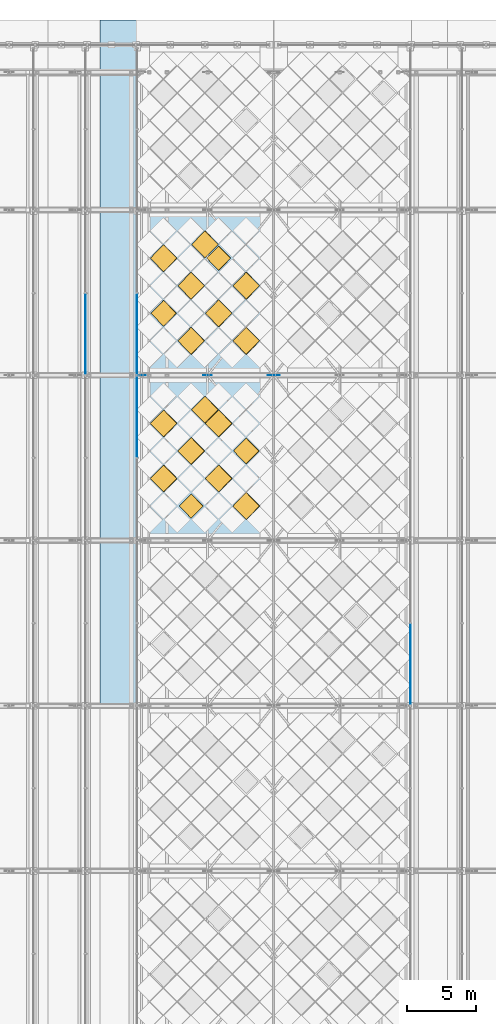
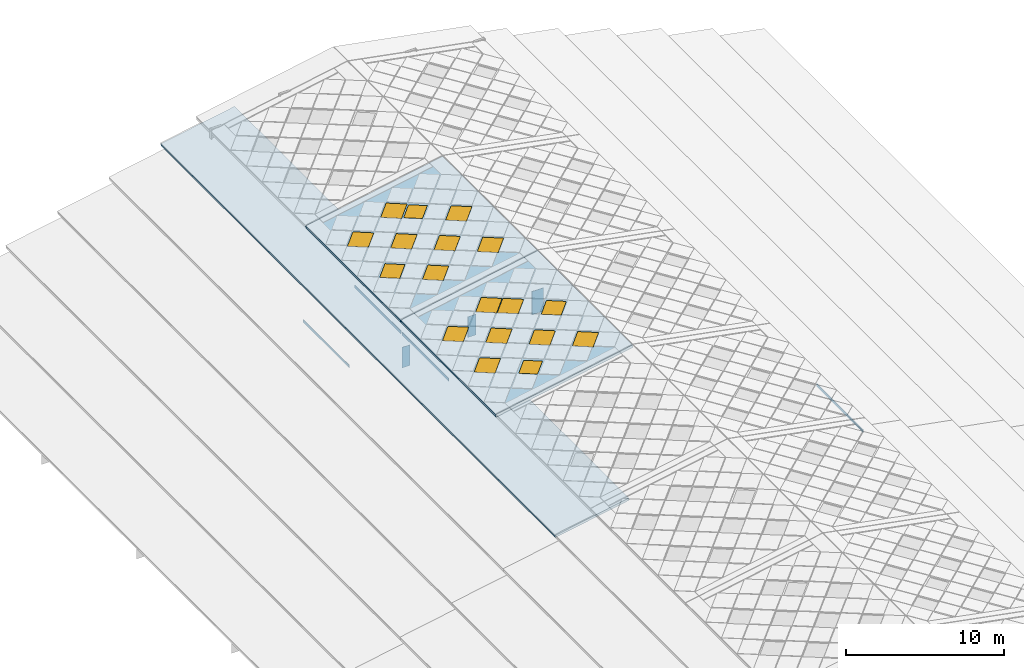
# One storey, part 94 of 117: 18 windows, 7 plates, 3 slabs, 18 openings, 4 elements without a shape of their own.
"""IFC4 building model written with IfcOpenShell, lengths in metres."""

from ifc_helpers import new_model, si_unit, direction, frame, origin, origin_2d, place, context, subcontext, project, spatial, polyline, rectangle, outline, extrude, material, layer, layer_set, type_object, element, fill, aggregate, save


model = new_model("IFC4")

# Units and contexts
model_context = context("Model", 3, precision=1e-05, world=origin(), true_north=direction((0.0, 1.0)))
body_context = subcontext(model_context, "Body", "Model", "MODEL_VIEW")
ifc_project = project(units=[si_unit("LENGTHUNIT", "METRE"), si_unit("AREAUNIT", "SQUARE_METRE"), si_unit("VOLUMEUNIT", "CUBIC_METRE"), si_unit("PLANEANGLEUNIT", "RADIAN"), si_unit("MASSUNIT", "GRAM", prefix="KILO")], contexts=[model_context])

# Site, building, storey
site_placement = place(None, origin())
site = spatial("IfcSite", under=ifc_project, at=site_placement, CompositionType="ELEMENT")
building_placement = place(site_placement, origin())
building = spatial("IfcBuilding", under=site, at=building_placement, Name="Merenkruunu Market Hall", CompositionType="ELEMENT")
storey_placement = place(building_placement, frame((0.0, 0.0, 22.800048828125)))
storey = spatial("IfcBuildingStorey", under=building, at=storey_placement, Name="RF", CompositionType="ELEMENT", Elevation=22.800048828125)

# Curtain wall, plate
ifc_material_1 = material(Name="Powder-coated aluminium", Category="aluminium")
curtain_wall_type = type_object("IfcCurtainWallType", Name="Clerestory Curtain Band CL05", PredefinedType="USERDEFINED", material=ifc_material_1)
curtain_wall_1_placement = place(storey_placement, origin())
curtain_wall_1 = element("IfcCurtainWall", 1, at=curtain_wall_1_placement, inside=storey, type_object=curtain_wall_type, Name="CW-RF-CWM04-111", ObjectType="CLERESTORY_BAND", PredefinedType="USERDEFINED")
ifc_material_2 = material(Name="Triple low-E insulated glass", Category="glass")
ifc_layer_1 = layer(ifc_material_2, 0.035888671875)
ifc_layer_set_1 = layer_set([ifc_layer_1], Name="Triple low-E insulated glass")
plate_type_1 = type_object("IfcPlateType", Name="Curtain Wall Glazing Panel CWP08", PredefinedType="CURTAIN_PANEL", material=ifc_layer_set_1)
plate_1_placement = place(storey_placement, frame((15.1201171875, 90.592529296875, -2.501953125), z_axis=(0.0, 0.0, 1.0), x_axis=(0.0, 1.0, 0.0)))
plate_1 = element("IfcPlate", 2, at=plate_1_placement, type_object=plate_type_1, Name="CL05 panel 1.1", PredefinedType="CURTAIN_PANEL", context=body_context, shape_type="SweptSolid", body=[
    extrude(rectangle(XDim=5.844970703125, YDim=0.035888671875, at=origin_2d()), origin(), (0.0, 0.0, 1.0), 0.20703125),
])
aggregate(curtain_wall_1, [plate_1])

curtain_wall_2_placement = place(storey_placement, origin())
curtain_wall_2 = element("IfcCurtainWall", 3, at=curtain_wall_2_placement, inside=storey, type_object=curtain_wall_type, Name="CW-RF-CWM04-117", ObjectType="CLERESTORY_BAND", PredefinedType="USERDEFINED")
plate_2_placement = place(storey_placement, frame((18.8798828125, 84.58251953125, -1.18212890625), z_axis=(0.0, 0.0, 1.0), x_axis=(0.0, 1.0, 0.0)))
plate_2 = element("IfcPlate", 4, at=plate_2_placement, type_object=plate_type_1, Name="CL05 panel 4.1", PredefinedType="CURTAIN_PANEL", context=body_context, shape_type="SweptSolid", body=[
    extrude(rectangle(XDim=5.89501953125, YDim=0.035888671875, at=origin_2d()), origin(), (0.0, 0.0, 1.0), 0.22802734375),
])
aggregate(curtain_wall_2, [plate_2])

curtain_wall_3_placement = place(storey_placement, origin())
curtain_wall_3 = element("IfcCurtainWall", 5, at=curtain_wall_3_placement, inside=storey, type_object=curtain_wall_type, Name="CW-RF-CWM04-118", ObjectType="CLERESTORY_BAND", PredefinedType="USERDEFINED")
plate_3_placement = place(storey_placement, frame((38.719970703125, 66.617431640625, -1.18212890625), z_axis=(0.0, 0.0, 1.0), x_axis=(0.0, -1.0, 0.0)))
plate_3 = element("IfcPlate", 6, at=plate_3_placement, type_object=plate_type_1, Name="CL05 panel 4.1", PredefinedType="CURTAIN_PANEL", context=body_context, shape_type="SweptSolid", body=[
    extrude(rectangle(XDim=5.89501953125, YDim=0.035888671875, at=origin_2d()), origin(), (0.0, 0.0, 1.0), 0.22802734375),
])
aggregate(curtain_wall_3, [plate_3])

curtain_wall_4_placement = place(storey_placement, origin())
curtain_wall_4 = element("IfcCurtainWall", 7, at=curtain_wall_4_placement, inside=storey, type_object=curtain_wall_type, Name="CW-RF-CWM04-119", ObjectType="CLERESTORY_BAND", PredefinedType="USERDEFINED")
plate_4_placement = place(storey_placement, frame((18.8798828125, 90.592529296875, -1.18212890625), z_axis=(0.0, 0.0, 1.0), x_axis=(0.0, 1.0, 0.0)))
plate_4 = element("IfcPlate", 8, at=plate_4_placement, type_object=plate_type_1, Name="CL05 panel 1.1", PredefinedType="CURTAIN_PANEL", context=body_context, shape_type="SweptSolid", body=[
    extrude(rectangle(XDim=5.844970703125, YDim=0.035888671875, at=origin_2d()), origin(), (0.0, 0.0, 1.0), 0.22802734375),
])
aggregate(curtain_wall_4, [plate_4])

# Slab, openings, windows
ifc_material_3 = material(Name="High-albedo white roof Steel S355ML", Category="steel")
ifc_layer_2 = layer(ifc_material_3, 0.199951171875)
ifc_layer_set_2 = layer_set([ifc_layer_2], Name="High-albedo white roof Steel S355ML")
slab_type_1 = type_object("IfcSlabType", Name="Sloped Or Flat Roof Deck RS01", PredefinedType="ROOF", material=ifc_layer_set_2)
slab_1_placement = place(storey_placement, frame((18.800048828125, 75.60009765625, -0.080078125), z_axis=(-0.184775267092, 0.0, 0.98278079991), x_axis=(0.98278079991, 0.0, 0.184775267092)))
slab_1 = element("IfcSlab", 9, at=slab_1_placement, inside=storey, type_object=slab_type_1, Name="SL-ROOF-V1-CROWN-W-06", PredefinedType="ROOF", context=body_context, shape_type="SweptSolid", body=[
    extrude(outline(polyline([(0.0, 0.0), (10.175208959027184, 0.0), (10.175208959027184, 12.0), (0.0, 12.0), (0.0, 0.0)])), origin(), (0.0, 0.0, -1.0), 0.199951171875),
])
opening_1_placement = place(slab_1_placement, frame((8.14013671875, 2.5, 0.0), z_axis=(0.0, 0.0, 1.0), x_axis=(0.707106781187, 0.707106781187, 0.0)))
opening_1 = element("IfcOpeningElement", 10, at=opening_1_placement, cuts=slab_1, Name="Opening SK01", PredefinedType="OPENING", context=body_context, shape_type="SweptSolid", body=[
    extrude(rectangle(XDim=1.3798828125, YDim=1.3798828125, at=origin_2d()), frame((0.0, 0.0, 0.014892578125), z_axis=(0.0, 0.0, -1.0), x_axis=(1.0, 0.0, 0.0)), (0.0, 0.0, 1.0), 0.229736328125),
])
opening_2_placement = place(slab_1_placement, frame((8.14013671875, 6.5, 0.0), z_axis=(0.0, 0.0, 1.0), x_axis=(0.707106781187, 0.707106781187, 0.0)))
opening_2 = element("IfcOpeningElement", 11, at=opening_2_placement, cuts=slab_1, Name="Opening SK02", PredefinedType="OPENING", context=body_context, shape_type="SweptSolid", body=[
    extrude(rectangle(XDim=1.320068359375, YDim=1.320068359375, at=origin_2d()), frame((0.0, 0.0, 0.014892578125), z_axis=(0.0, 0.0, -1.0), x_axis=(1.0, 0.0, 0.0)), (0.0, 0.0, 1.0), 0.229736328125),
])
opening_3_placement = place(slab_1_placement, frame((6.10498046875, 4.5, -0.000244140625), z_axis=(0.0, 0.0, 1.0), x_axis=(0.707106781187, 0.707106781187, 0.0)))
opening_3 = element("IfcOpeningElement", 12, at=opening_3_placement, cuts=slab_1, Name="Opening SK01", PredefinedType="OPENING", context=body_context, shape_type="SweptSolid", body=[
    extrude(rectangle(XDim=1.3798828125, YDim=1.3798828125, at=origin_2d()), frame((0.0, 0.0, 0.014892578125), z_axis=(0.0, 0.0, -1.0), x_axis=(1.0, 0.0, 0.0)), (0.0, 0.0, 1.0), 0.229736328125),
])
opening_4_placement = place(slab_1_placement, frame((6.10498046875, 8.5, -0.000244140625), z_axis=(0.0, 0.0, 1.0), x_axis=(0.707106781187, 0.707106781187, 0.0)))
opening_4 = element("IfcOpeningElement", 13, at=opening_4_placement, cuts=slab_1, Name="Opening SK01", PredefinedType="OPENING", context=body_context, shape_type="SweptSolid", body=[
    extrude(rectangle(XDim=1.3798828125, YDim=1.3798828125, at=origin_2d()), frame((0.0, 0.0, 0.014892578125), z_axis=(0.0, 0.0, -1.0), x_axis=(1.0, 0.0, 0.0)), (0.0, 0.0, 1.0), 0.229736328125),
])
opening_5_placement = place(slab_1_placement, frame((5.087646484375, 9.5, 0.0), z_axis=(0.0, 0.0, 1.0), x_axis=(0.707106781187, 0.707106781187, 0.0)))
opening_5 = element("IfcOpeningElement", 14, at=opening_5_placement, cuts=slab_1, Name="Opening SK01", PredefinedType="OPENING", context=body_context, shape_type="SweptSolid", body=[
    extrude(rectangle(XDim=1.3798828125, YDim=1.3798828125, at=origin_2d()), frame((0.0, 0.0, 0.014892578125), z_axis=(0.0, 0.0, -1.0), x_axis=(1.0, 0.0, 0.0)), (0.0, 0.0, 1.0), 0.229736328125),
])
opening_6_placement = place(slab_1_placement, frame((4.070068359375, 2.5, 0.0), z_axis=(0.0, 0.0, 1.0), x_axis=(0.707106781187, 0.707106781187, 0.0)))
opening_6 = element("IfcOpeningElement", 15, at=opening_6_placement, cuts=slab_1, Name="Opening SK03", PredefinedType="OPENING", context=body_context, shape_type="SweptSolid", body=[
    extrude(rectangle(XDim=1.239990234375, YDim=1.239990234375, at=origin_2d()), frame((0.0, 0.0, 0.014892578125), z_axis=(0.0, 0.0, -1.0), x_axis=(1.0, 0.0, 0.0)), (0.0, 0.0, 1.0), 0.229736328125),
])
opening_7_placement = place(slab_1_placement, frame((4.070068359375, 6.5, 0.0), z_axis=(0.0, 0.0, 1.0), x_axis=(0.707106781187, 0.707106781187, 0.0)))
opening_7 = element("IfcOpeningElement", 16, at=opening_7_placement, cuts=slab_1, Name="Opening SK01", PredefinedType="OPENING", context=body_context, shape_type="SweptSolid", body=[
    extrude(rectangle(XDim=1.3798828125, YDim=1.3798828125, at=origin_2d()), frame((0.0, 0.0, 0.014892578125), z_axis=(0.0, 0.0, -1.0), x_axis=(1.0, 0.0, 0.0)), (0.0, 0.0, 1.0), 0.229736328125),
])
opening_8_placement = place(slab_1_placement, frame((2.034912109375, 4.5, 0.0), z_axis=(0.0, 0.0, 1.0), x_axis=(0.707106781187, 0.707106781187, 0.0)))
opening_8 = element("IfcOpeningElement", 17, at=opening_8_placement, cuts=slab_1, Name="Opening SK01", PredefinedType="OPENING", context=body_context, shape_type="SweptSolid", body=[
    extrude(rectangle(XDim=1.3798828125, YDim=1.3798828125, at=origin_2d()), frame((0.0, 0.0, 0.014892578125), z_axis=(0.0, 0.0, -1.0), x_axis=(1.0, 0.0, 0.0)), (0.0, 0.0, 1.0), 0.229736328125),
])
opening_9_placement = place(slab_1_placement, frame((2.034912109375, 8.5, 0.0), z_axis=(0.0, 0.0, 1.0), x_axis=(0.707106781187, 0.707106781187, 0.0)))
opening_9 = element("IfcOpeningElement", 18, at=opening_9_placement, cuts=slab_1, Name="Opening SK01", PredefinedType="OPENING", context=body_context, shape_type="SweptSolid", body=[
    extrude(rectangle(XDim=1.3798828125, YDim=1.3798828125, at=origin_2d()), frame((0.0, 0.0, 0.014892578125), z_axis=(0.0, 0.0, -1.0), x_axis=(1.0, 0.0, 0.0)), (0.0, 0.0, 1.0), 0.229736328125),
])
ifc_material_4 = material(Name="Diamond skylight blue triple glass", Category="glass")
ifc_layer_3 = layer(ifc_material_4, 0.094970703125)
ifc_layer_set_3 = layer_set([ifc_layer_3], Name="Diamond skylight blue triple glass")
window_type_1 = type_object("IfcWindowType", Name="Diamond Roof Skylight SK01", PartitioningType="SINGLE_PANEL", PredefinedType="SKYLIGHT", material=ifc_layer_set_3)
window_1_placement = place(opening_1_placement, origin())
window_1 = element("IfcWindow", 19, at=window_1_placement, inside=storey, type_object=window_type_1, Name="SKY-CROWN-091", OverallHeight=1.3798828125, OverallWidth=1.3798828125, PartitioningType="SINGLE_PANEL", PredefinedType="SKYLIGHT", context=body_context, shape_type="SweptSolid", body=[
    extrude(rectangle(XDim=1.3798828125, YDim=1.3798828125, at=origin_2d()), frame((0.0, 0.0, 0.0), z_axis=(0.0, 0.0, -1.0), x_axis=(1.0, 0.0, 0.0)), (0.0, 0.0, 1.0), 0.094970703125),
])
fill(opening_1, window_1)
window_2_placement = place(opening_3_placement, origin())
window_2 = element("IfcWindow", 20, at=window_2_placement, inside=storey, type_object=window_type_1, Name="SKY-CROWN-093", OverallHeight=1.3798828125, OverallWidth=1.3798828125, PartitioningType="SINGLE_PANEL", PredefinedType="SKYLIGHT", context=body_context, shape_type="SweptSolid", body=[
    extrude(rectangle(XDim=1.3798828125, YDim=1.3798828125, at=origin_2d()), frame((0.0, 0.0, 0.0), z_axis=(0.0, 0.0, -1.0), x_axis=(1.0, 0.0, 0.0)), (0.0, 0.0, 1.0), 0.094970703125),
])
fill(opening_3, window_2)
window_3_placement = place(opening_4_placement, origin())
window_3 = element("IfcWindow", 21, at=window_3_placement, inside=storey, type_object=window_type_1, Name="SKY-CROWN-094", OverallHeight=1.3798828125, OverallWidth=1.3798828125, PartitioningType="SINGLE_PANEL", PredefinedType="SKYLIGHT", context=body_context, shape_type="SweptSolid", body=[
    extrude(rectangle(XDim=1.3798828125, YDim=1.3798828125, at=origin_2d()), frame((0.0, 0.0, 0.0), z_axis=(0.0, 0.0, -1.0), x_axis=(1.0, 0.0, 0.0)), (0.0, 0.0, 1.0), 0.094970703125),
])
fill(opening_4, window_3)
window_4_placement = place(opening_5_placement, origin())
window_4 = element("IfcWindow", 22, at=window_4_placement, inside=storey, type_object=window_type_1, Name="SKY-CROWN-095", OverallHeight=1.3798828125, OverallWidth=1.3798828125, PartitioningType="SINGLE_PANEL", PredefinedType="SKYLIGHT", context=body_context, shape_type="SweptSolid", body=[
    extrude(rectangle(XDim=1.3798828125, YDim=1.3798828125, at=origin_2d()), frame((0.0, 0.0, 0.0), z_axis=(0.0, 0.0, -1.0), x_axis=(1.0, 0.0, 0.0)), (0.0, 0.0, 1.0), 0.094970703125),
])
fill(opening_5, window_4)
window_5_placement = place(opening_7_placement, origin())
window_5 = element("IfcWindow", 23, at=window_5_placement, inside=storey, type_object=window_type_1, Name="SKY-CROWN-097", OverallHeight=1.3798828125, OverallWidth=1.3798828125, PartitioningType="SINGLE_PANEL", PredefinedType="SKYLIGHT", context=body_context, shape_type="SweptSolid", body=[
    extrude(rectangle(XDim=1.3798828125, YDim=1.3798828125, at=origin_2d()), frame((0.0, 0.0, 0.0), z_axis=(0.0, 0.0, -1.0), x_axis=(1.0, 0.0, 0.0)), (0.0, 0.0, 1.0), 0.094970703125),
])
fill(opening_7, window_5)
window_6_placement = place(opening_8_placement, origin())
window_6 = element("IfcWindow", 24, at=window_6_placement, inside=storey, type_object=window_type_1, Name="SKY-CROWN-098", OverallHeight=1.3798828125, OverallWidth=1.3798828125, PartitioningType="SINGLE_PANEL", PredefinedType="SKYLIGHT", context=body_context, shape_type="SweptSolid", body=[
    extrude(rectangle(XDim=1.3798828125, YDim=1.3798828125, at=origin_2d()), frame((0.0, 0.0, 0.0), z_axis=(0.0, 0.0, -1.0), x_axis=(1.0, 0.0, 0.0)), (0.0, 0.0, 1.0), 0.094970703125),
])
fill(opening_8, window_6)
window_7_placement = place(opening_9_placement, origin())
window_7 = element("IfcWindow", 25, at=window_7_placement, inside=storey, type_object=window_type_1, Name="SKY-CROWN-099", OverallHeight=1.3798828125, OverallWidth=1.3798828125, PartitioningType="SINGLE_PANEL", PredefinedType="SKYLIGHT", context=body_context, shape_type="SweptSolid", body=[
    extrude(rectangle(XDim=1.3798828125, YDim=1.3798828125, at=origin_2d()), frame((0.0, 0.0, 0.0), z_axis=(0.0, 0.0, -1.0), x_axis=(1.0, 0.0, 0.0)), (0.0, 0.0, 1.0), 0.094970703125),
])
fill(opening_9, window_7)
ifc_layer_4 = layer(ifc_material_4, 0.094970703125)
ifc_layer_set_4 = layer_set([ifc_layer_4], Name="Diamond skylight blue triple glass")
window_type_2 = type_object("IfcWindowType", Name="Diamond Roof Skylight SK02", PartitioningType="SINGLE_PANEL", PredefinedType="SKYLIGHT", material=ifc_layer_set_4)
window_8_placement = place(opening_2_placement, origin())
window_8 = element("IfcWindow", 26, at=window_8_placement, inside=storey, type_object=window_type_2, Name="SKY-CROWN-092", OverallHeight=1.320068359375, OverallWidth=1.320068359375, PartitioningType="SINGLE_PANEL", PredefinedType="SKYLIGHT", context=body_context, shape_type="SweptSolid", body=[
    extrude(rectangle(XDim=1.320068359375, YDim=1.320068359375, at=origin_2d()), frame((0.0, 0.0, 0.0), z_axis=(0.0, 0.0, -1.0), x_axis=(1.0, 0.0, 0.0)), (0.0, 0.0, 1.0), 0.094970703125),
])
fill(opening_2, window_8)
ifc_layer_5 = layer(ifc_material_4, 0.094970703125)
ifc_layer_set_5 = layer_set([ifc_layer_5], Name="Diamond skylight blue triple glass")
window_type_3 = type_object("IfcWindowType", Name="Roof Smoke Vent Skylight SK03", PartitioningType="SINGLE_PANEL", PredefinedType="SKYLIGHT", material=ifc_layer_set_5)
window_9_placement = place(opening_6_placement, origin())
window_9 = element("IfcWindow", 27, at=window_9_placement, inside=storey, type_object=window_type_3, Name="SKY-CROWN-096", OverallHeight=1.239990234375, OverallWidth=1.239990234375, PartitioningType="SINGLE_PANEL", PredefinedType="SKYLIGHT", context=body_context, shape_type="SweptSolid", body=[
    extrude(rectangle(XDim=1.239990234375, YDim=1.239990234375, at=origin_2d()), frame((0.0, 0.0, 0.0), z_axis=(0.0, 0.0, -1.0), x_axis=(1.0, 0.0, 0.0)), (0.0, 0.0, 1.0), 0.094970703125),
])
fill(opening_6, window_9)

slab_2_placement = place(storey_placement, frame((18.800048828125, 87.60009765625, -0.080078125), z_axis=(-0.184775267092, 0.0, 0.98278079991), x_axis=(0.98278079991, 0.0, 0.184775267092)))
slab_2 = element("IfcSlab", 28, at=slab_2_placement, inside=storey, type_object=slab_type_1, Name="SL-ROOF-V1-CROWN-W-07", PredefinedType="ROOF", context=body_context, shape_type="SweptSolid", body=[
    extrude(outline(polyline([(0.0, 0.0), (10.175208959027184, 0.0), (10.175208959027184, 12.0), (0.0, 12.0), (0.0, 0.0)])), origin(), (0.0, 0.0, -1.0), 0.199951171875),
])
opening_10_placement = place(slab_2_placement, frame((8.14013671875, 2.5, 0.0), z_axis=(0.0, 0.0, 1.0), x_axis=(0.707106781187, 0.707106781187, 0.0)))
opening_10 = element("IfcOpeningElement", 29, at=opening_10_placement, cuts=slab_2, Name="Opening SK01", PredefinedType="OPENING", context=body_context, shape_type="SweptSolid", body=[
    extrude(rectangle(XDim=1.3798828125, YDim=1.3798828125, at=origin_2d()), frame((0.0, 0.0, 0.014892578125), z_axis=(0.0, 0.0, -1.0), x_axis=(1.0, 0.0, 0.0)), (0.0, 0.0, 1.0), 0.229736328125),
])
opening_11_placement = place(slab_2_placement, frame((8.14013671875, 6.5, 0.0), z_axis=(0.0, 0.0, 1.0), x_axis=(0.707106781187, 0.707106781187, 0.0)))
opening_11 = element("IfcOpeningElement", 30, at=opening_11_placement, cuts=slab_2, Name="Opening SK01", PredefinedType="OPENING", context=body_context, shape_type="SweptSolid", body=[
    extrude(rectangle(XDim=1.3798828125, YDim=1.3798828125, at=origin_2d()), frame((0.0, 0.0, 0.014892578125), z_axis=(0.0, 0.0, -1.0), x_axis=(1.0, 0.0, 0.0)), (0.0, 0.0, 1.0), 0.229736328125),
])
opening_12_placement = place(slab_2_placement, frame((6.10498046875, 4.5, -0.000244140625), z_axis=(0.0, 0.0, 1.0), x_axis=(0.707106781187, 0.707106781187, 0.0)))
opening_12 = element("IfcOpeningElement", 31, at=opening_12_placement, cuts=slab_2, Name="Opening SK01", PredefinedType="OPENING", context=body_context, shape_type="SweptSolid", body=[
    extrude(rectangle(XDim=1.3798828125, YDim=1.3798828125, at=origin_2d()), frame((0.0, 0.0, 0.014892578125), z_axis=(0.0, 0.0, -1.0), x_axis=(1.0, 0.0, 0.0)), (0.0, 0.0, 1.0), 0.229736328125),
])
opening_13_placement = place(slab_2_placement, frame((6.10498046875, 8.5, -0.000244140625), z_axis=(0.0, 0.0, 1.0), x_axis=(0.707106781187, 0.707106781187, 0.0)))
opening_13 = element("IfcOpeningElement", 32, at=opening_13_placement, cuts=slab_2, Name="Opening SK03", PredefinedType="OPENING", context=body_context, shape_type="SweptSolid", body=[
    extrude(rectangle(XDim=1.239990234375, YDim=1.239990234375, at=origin_2d()), frame((0.0, 0.0, 0.014892578125), z_axis=(0.0, 0.0, -1.0), x_axis=(1.0, 0.0, 0.0)), (0.0, 0.0, 1.0), 0.229736328125),
])
opening_14_placement = place(slab_2_placement, frame((5.087646484375, 9.5, 0.0), z_axis=(0.0, 0.0, 1.0), x_axis=(0.707106781187, 0.707106781187, 0.0)))
opening_14 = element("IfcOpeningElement", 33, at=opening_14_placement, cuts=slab_2, Name="Opening SK01", PredefinedType="OPENING", context=body_context, shape_type="SweptSolid", body=[
    extrude(rectangle(XDim=1.3798828125, YDim=1.3798828125, at=origin_2d()), frame((0.0, 0.0, 0.014892578125), z_axis=(0.0, 0.0, -1.0), x_axis=(1.0, 0.0, 0.0)), (0.0, 0.0, 1.0), 0.229736328125),
])
opening_15_placement = place(slab_2_placement, frame((4.070068359375, 2.5, 0.0), z_axis=(0.0, 0.0, 1.0), x_axis=(0.707106781187, 0.707106781187, 0.0)))
opening_15 = element("IfcOpeningElement", 34, at=opening_15_placement, cuts=slab_2, Name="Opening SK01", PredefinedType="OPENING", context=body_context, shape_type="SweptSolid", body=[
    extrude(rectangle(XDim=1.3798828125, YDim=1.3798828125, at=origin_2d()), frame((0.0, 0.0, 0.014892578125), z_axis=(0.0, 0.0, -1.0), x_axis=(1.0, 0.0, 0.0)), (0.0, 0.0, 1.0), 0.229736328125),
])
opening_16_placement = place(slab_2_placement, frame((4.070068359375, 6.5, 0.0), z_axis=(0.0, 0.0, 1.0), x_axis=(0.707106781187, 0.707106781187, 0.0)))
opening_16 = element("IfcOpeningElement", 35, at=opening_16_placement, cuts=slab_2, Name="Opening SK01", PredefinedType="OPENING", context=body_context, shape_type="SweptSolid", body=[
    extrude(rectangle(XDim=1.3798828125, YDim=1.3798828125, at=origin_2d()), frame((0.0, 0.0, 0.014892578125), z_axis=(0.0, 0.0, -1.0), x_axis=(1.0, 0.0, 0.0)), (0.0, 0.0, 1.0), 0.229736328125),
])
opening_17_placement = place(slab_2_placement, frame((2.034912109375, 4.5, 0.0), z_axis=(0.0, 0.0, 1.0), x_axis=(0.707106781187, 0.707106781187, 0.0)))
opening_17 = element("IfcOpeningElement", 36, at=opening_17_placement, cuts=slab_2, Name="Opening SK02", PredefinedType="OPENING", context=body_context, shape_type="SweptSolid", body=[
    extrude(rectangle(XDim=1.320068359375, YDim=1.320068359375, at=origin_2d()), frame((0.0, 0.0, 0.014892578125), z_axis=(0.0, 0.0, -1.0), x_axis=(1.0, 0.0, 0.0)), (0.0, 0.0, 1.0), 0.229736328125),
])
opening_18_placement = place(slab_2_placement, frame((2.034912109375, 8.5, 0.0), z_axis=(0.0, 0.0, 1.0), x_axis=(0.707106781187, 0.707106781187, 0.0)))
opening_18 = element("IfcOpeningElement", 37, at=opening_18_placement, cuts=slab_2, Name="Opening SK01", PredefinedType="OPENING", context=body_context, shape_type="SweptSolid", body=[
    extrude(rectangle(XDim=1.3798828125, YDim=1.3798828125, at=origin_2d()), frame((0.0, 0.0, 0.014892578125), z_axis=(0.0, 0.0, -1.0), x_axis=(1.0, 0.0, 0.0)), (0.0, 0.0, 1.0), 0.229736328125),
])
window_10_placement = place(opening_10_placement, origin())
window_10 = element("IfcWindow", 38, at=window_10_placement, inside=storey, type_object=window_type_1, Name="SKY-CROWN-109", OverallHeight=1.3798828125, OverallWidth=1.3798828125, PartitioningType="SINGLE_PANEL", PredefinedType="SKYLIGHT", context=body_context, shape_type="SweptSolid", body=[
    extrude(rectangle(XDim=1.3798828125, YDim=1.3798828125, at=origin_2d()), frame((0.0, 0.0, 0.0), z_axis=(0.0, 0.0, -1.0), x_axis=(1.0, 0.0, 0.0)), (0.0, 0.0, 1.0), 0.094970703125),
])
fill(opening_10, window_10)
window_11_placement = place(opening_11_placement, origin())
window_11 = element("IfcWindow", 39, at=window_11_placement, inside=storey, type_object=window_type_1, Name="SKY-CROWN-110", OverallHeight=1.3798828125, OverallWidth=1.3798828125, PartitioningType="SINGLE_PANEL", PredefinedType="SKYLIGHT", context=body_context, shape_type="SweptSolid", body=[
    extrude(rectangle(XDim=1.3798828125, YDim=1.3798828125, at=origin_2d()), frame((0.0, 0.0, 0.0), z_axis=(0.0, 0.0, -1.0), x_axis=(1.0, 0.0, 0.0)), (0.0, 0.0, 1.0), 0.094970703125),
])
fill(opening_11, window_11)
window_12_placement = place(opening_12_placement, origin())
window_12 = element("IfcWindow", 40, at=window_12_placement, inside=storey, type_object=window_type_1, Name="SKY-CROWN-111", OverallHeight=1.3798828125, OverallWidth=1.3798828125, PartitioningType="SINGLE_PANEL", PredefinedType="SKYLIGHT", context=body_context, shape_type="SweptSolid", body=[
    extrude(rectangle(XDim=1.3798828125, YDim=1.3798828125, at=origin_2d()), frame((0.0, 0.0, 0.0), z_axis=(0.0, 0.0, -1.0), x_axis=(1.0, 0.0, 0.0)), (0.0, 0.0, 1.0), 0.094970703125),
])
fill(opening_12, window_12)
window_13_placement = place(opening_14_placement, origin())
window_13 = element("IfcWindow", 41, at=window_13_placement, inside=storey, type_object=window_type_1, Name="SKY-CROWN-113", OverallHeight=1.3798828125, OverallWidth=1.3798828125, PartitioningType="SINGLE_PANEL", PredefinedType="SKYLIGHT", context=body_context, shape_type="SweptSolid", body=[
    extrude(rectangle(XDim=1.3798828125, YDim=1.3798828125, at=origin_2d()), frame((0.0, 0.0, 0.0), z_axis=(0.0, 0.0, -1.0), x_axis=(1.0, 0.0, 0.0)), (0.0, 0.0, 1.0), 0.094970703125),
])
fill(opening_14, window_13)
window_14_placement = place(opening_15_placement, origin())
window_14 = element("IfcWindow", 42, at=window_14_placement, inside=storey, type_object=window_type_1, Name="SKY-CROWN-114", OverallHeight=1.3798828125, OverallWidth=1.3798828125, PartitioningType="SINGLE_PANEL", PredefinedType="SKYLIGHT", context=body_context, shape_type="SweptSolid", body=[
    extrude(rectangle(XDim=1.3798828125, YDim=1.3798828125, at=origin_2d()), frame((0.0, 0.0, 0.0), z_axis=(0.0, 0.0, -1.0), x_axis=(1.0, 0.0, 0.0)), (0.0, 0.0, 1.0), 0.094970703125),
])
fill(opening_15, window_14)
window_15_placement = place(opening_16_placement, origin())
window_15 = element("IfcWindow", 43, at=window_15_placement, inside=storey, type_object=window_type_1, Name="SKY-CROWN-115", OverallHeight=1.3798828125, OverallWidth=1.3798828125, PartitioningType="SINGLE_PANEL", PredefinedType="SKYLIGHT", context=body_context, shape_type="SweptSolid", body=[
    extrude(rectangle(XDim=1.3798828125, YDim=1.3798828125, at=origin_2d()), frame((0.0, 0.0, 0.0), z_axis=(0.0, 0.0, -1.0), x_axis=(1.0, 0.0, 0.0)), (0.0, 0.0, 1.0), 0.094970703125),
])
fill(opening_16, window_15)
window_16_placement = place(opening_18_placement, origin())
window_16 = element("IfcWindow", 44, at=window_16_placement, inside=storey, type_object=window_type_1, Name="SKY-CROWN-117", OverallHeight=1.3798828125, OverallWidth=1.3798828125, PartitioningType="SINGLE_PANEL", PredefinedType="SKYLIGHT", context=body_context, shape_type="SweptSolid", body=[
    extrude(rectangle(XDim=1.3798828125, YDim=1.3798828125, at=origin_2d()), frame((0.0, 0.0, 0.0), z_axis=(0.0, 0.0, -1.0), x_axis=(1.0, 0.0, 0.0)), (0.0, 0.0, 1.0), 0.094970703125),
])
fill(opening_18, window_16)
window_17_placement = place(opening_17_placement, origin())
window_17 = element("IfcWindow", 45, at=window_17_placement, inside=storey, type_object=window_type_2, Name="SKY-CROWN-116", OverallHeight=1.320068359375, OverallWidth=1.320068359375, PartitioningType="SINGLE_PANEL", PredefinedType="SKYLIGHT", context=body_context, shape_type="SweptSolid", body=[
    extrude(rectangle(XDim=1.320068359375, YDim=1.320068359375, at=origin_2d()), frame((0.0, 0.0, 0.0), z_axis=(0.0, 0.0, -1.0), x_axis=(1.0, 0.0, 0.0)), (0.0, 0.0, 1.0), 0.094970703125),
])
fill(opening_17, window_17)
window_18_placement = place(opening_13_placement, origin())
window_18 = element("IfcWindow", 46, at=window_18_placement, inside=storey, type_object=window_type_3, Name="SKY-CROWN-112", OverallHeight=1.239990234375, OverallWidth=1.239990234375, PartitioningType="SINGLE_PANEL", PredefinedType="SKYLIGHT", context=body_context, shape_type="SweptSolid", body=[
    extrude(rectangle(XDim=1.239990234375, YDim=1.239990234375, at=origin_2d()), frame((0.0, 0.0, 0.0), z_axis=(0.0, 0.0, -1.0), x_axis=(1.0, 0.0, 0.0)), (0.0, 0.0, 1.0), 0.094970703125),
])
fill(opening_13, window_18)

# Slab
ifc_layer_6 = layer(ifc_material_3, 0.179931640625)
ifc_layer_set_6 = layer_set([ifc_layer_6], Name="High-albedo white roof Steel S355ML")
slab_type_2 = type_object("IfcSlabType", Name="Sloped Or Flat Roof Deck RS02", PredefinedType="ROOF", material=ifc_layer_set_6)
slab_3_placement = place(storey_placement, frame((16.199951171875, 63.60009765625, -1.199951171875), z_axis=(-0.182213420949, 0.0, 0.983259004142), x_axis=(0.983259004142, 0.0, 0.182213420949)))
element("IfcSlab", 47, at=slab_3_placement, inside=storey, type_object=slab_type_2, Name="SL-ROOF-V1-TW6-N", PredefinedType="ROOF", context=body_context, shape_type="SweptSolid", body=[
    extrude(outline(polyline([(0.0, 0.0), (5.492089532491207, 0.0), (5.492089532491207, 49.799804687500014), (0.0, 49.799804687500014), (0.0, 0.0)]), holes=[polyline([(3.6613633645284884, 24.250000000000007), (4.983599950698672, 24.250000000000007), (4.983599950698672, 25.549804687500007), (3.6613633645284884, 25.549804687500007), (3.6613633645284884, 24.250000000000007)])]), origin(), (0.0, 0.0, -1.0), 0.179931640625),
])

# Plates
ifc_material_5 = material(Name="Steel S355ML", Category="steel")
ifc_layer_7 = layer(ifc_material_5, 0.02197265625)
ifc_layer_set_7 = layer_set([ifc_layer_7], Name="Steel S355ML")
plate_type_2 = type_object("IfcPlateType", Name="Truss Gusset Or Cap Plate TN05", PredefinedType="USERDEFINED", material=ifc_layer_set_7)
for number, where, z_axis, x_axis, name in (
    (48, (19.199951171875, 87.60009765625, -3.7900390625), (0.0, 0.0, 1.0), (1.0, 0.0, 0.0), "PLT-AT-7-NODE-04"),
    (49, (24.0, 87.60009765625, -3.1181640625), (0.0, 0.0, 1.0), (1.0, 0.0, 0.0), "PLT-AT-7-NODE-05"),
):
    element("IfcPlate", number, at=place(storey_placement, frame(where, z_axis=z_axis, x_axis=x_axis)), inside=storey, type_object=plate_type_2, Name=name, ObjectType="GUSSET_PLATE", PredefinedType="USERDEFINED", context=body_context, shape_type="SweptSolid", body=[
        extrude(rectangle(XDim=0.60009765625, YDim=0.02197265625, at=origin_2d()), origin(), (0.0, 0.0, 1.0), 1.60009765625),
    ])
ifc_layer_8 = layer(ifc_material_5, 0.031982421875)
ifc_layer_set_8 = layer_set([ifc_layer_8], Name="Steel S355ML")
plate_type_3 = type_object("IfcPlateType", Name="Truss Gusset Or Cap Plate TN06", PredefinedType="USERDEFINED", material=ifc_layer_set_8)
plate_5_placement = place(storey_placement, frame((28.800048828125, 87.60009765625, -2.99609375), z_axis=(0.0, 0.0, 1.0), x_axis=(1.0, 0.0, 0.0)))
element("IfcPlate", 50, at=plate_5_placement, inside=storey, type_object=plate_type_3, Name="PLT-AT-7-NODE-06", ObjectType="GUSSET_PLATE", PredefinedType="USERDEFINED", context=body_context, shape_type="SweptSolid", body=[
    extrude(rectangle(XDim=0.85009765625, YDim=0.031982421875, at=origin_2d()), origin(), (0.0, 0.0, 1.0), 1.800048828125),
])

save(model, "model.ifc")
